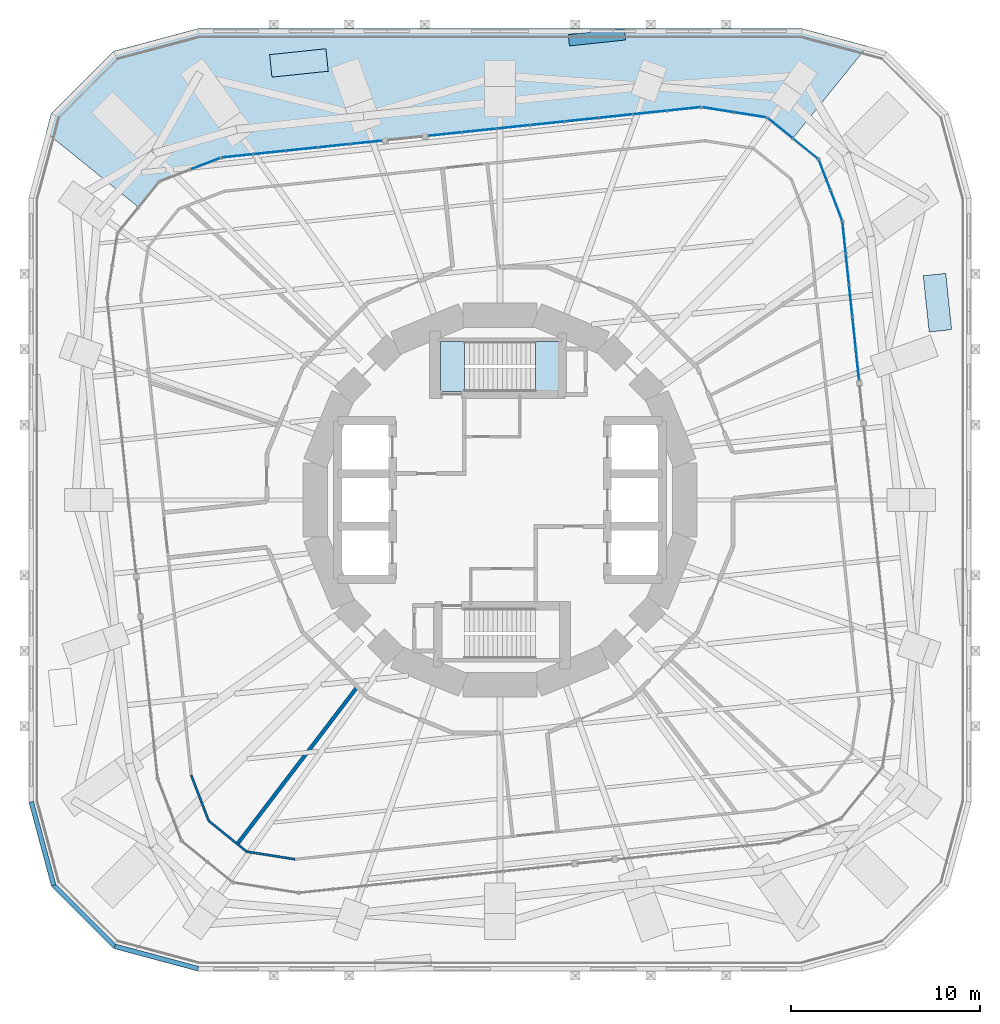
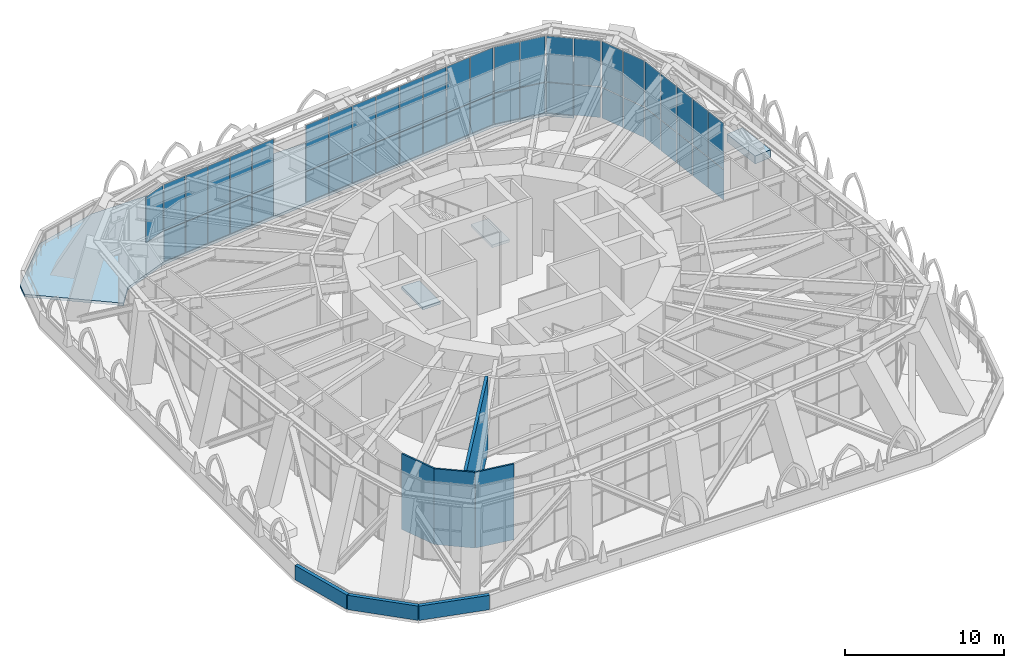
# One storey, part 14 of 20: 52 plates, 7 walls, 3 slabs, 8 elements without a shape of their own.
"""IFC4 building model written with IfcOpenShell, lengths in metres."""

from ifc_helpers import new_model, si_unit, direction, frame, frame_2d, origin, origin_2d, place, context, subcontext, project, spatial, polyline, rectangle, outline, extrude, material, layer, layer_set, type_object, element, aggregate, save


model = new_model("IFC4")

# Units and contexts
model_context = context("Model", 3, precision=1e-05, world=origin(), true_north=direction((0.0, 1.0)))
body_context = subcontext(model_context, "Body", "Model", "MODEL_VIEW")
ifc_project = project(units=[si_unit("LENGTHUNIT", "METRE"), si_unit("AREAUNIT", "SQUARE_METRE"), si_unit("VOLUMEUNIT", "CUBIC_METRE"), si_unit("PLANEANGLEUNIT", "RADIAN"), si_unit("MASSUNIT", "GRAM", prefix="KILO")], contexts=[model_context])

# Site, building, storey
site_placement = place(None, origin())
site = spatial("IfcSite", under=ifc_project, at=site_placement, CompositionType="ELEMENT")
building_placement = place(site_placement, origin())
building = spatial("IfcBuilding", under=site, at=building_placement, Name="Nakasero Lantern House", CompositionType="ELEMENT")
storey_placement = place(building_placement, frame((0.0, 0.0, 54.5)))
storey = spatial("IfcBuildingStorey", under=building, at=storey_placement, Name="L13", CompositionType="ELEMENT", Elevation=54.5)

# Curtain wall, plates
ifc_material_1 = material(Name="Aluminium 6063-T6 and glass", Category="aluminium")
curtain_wall_type = type_object("IfcCurtainWallType", Name="Sky lounge glazing CW-3", PredefinedType="USERDEFINED", material=ifc_material_1)
curtain_wall_1_placement = place(storey_placement, origin())
curtain_wall_1 = element("IfcCurtainWall", 1, at=curtain_wall_1_placement, inside=storey, type_object=curtain_wall_type, Name="Curtain wall CW-3 L13", ObjectType="STICK CURTAIN WALL", PredefinedType="USERDEFINED")
ifc_material_2 = material(Name="Glass", Category="glass")
ifc_layer_1 = layer(ifc_material_2, 0.028076171875)
ifc_layer_set_1 = layer_set([ifc_layer_1], Name="Glazed panel CW-3")
plate_type_1 = type_object("IfcPlateType", Name="Glazed panel CW-3", PredefinedType="CURTAIN_PANEL", material=ifc_layer_set_1)
plate_1_placement = place(storey_placement, frame((18.775634765625, 8.861083984375, 0.06005859375), z_axis=(0.0, 0.0, 1.0), x_axis=(-0.104528463302, 0.994521895365, 0.0)))
plate_1 = element("IfcPlate", 2, at=plate_1_placement, type_object=plate_type_1, Name="CW-3 panel 2.1", PredefinedType="CURTAIN_PANEL", context=body_context, shape_type="SweptSolid", body=[
    extrude(rectangle(XDim=1.639892578125, YDim=0.028076171875, at=origin_2d()), origin(), (0.0, 0.0, 1.0), 2.31005859375),
])
plate_2_placement = place(storey_placement, frame((18.775634765625, 8.861083984375, 2.43017578125), z_axis=(0.0, 0.0, 1.0), x_axis=(-0.104528463302, 0.994521895365, 0.0)))
plate_2 = element("IfcPlate", 3, at=plate_2_placement, type_object=plate_type_1, Name="CW-3 panel 2.2", PredefinedType="CURTAIN_PANEL", context=body_context, shape_type="SweptSolid", body=[
    extrude(rectangle(XDim=1.639892578125, YDim=0.028076171875, at=origin_2d()), origin(), (0.0, 0.0, 1.0), 3.510009765625),
])
plate_3_placement = place(storey_placement, frame((18.597900390625, 10.5517578125, 0.06005859375), z_axis=(0.0, 0.0, 1.0), x_axis=(-0.104528463302, 0.994521895365, 0.0)))
plate_3 = element("IfcPlate", 4, at=plate_3_placement, type_object=plate_type_1, Name="CW-3 panel 3.1", PredefinedType="CURTAIN_PANEL", context=body_context, shape_type="SweptSolid", body=[
    extrude(rectangle(XDim=1.639892578125, YDim=0.028076171875, at=origin_2d()), origin(), (0.0, 0.0, 1.0), 2.31005859375),
])
plate_4_placement = place(storey_placement, frame((18.597900390625, 10.5517578125, 2.43017578125), z_axis=(0.0, 0.0, 1.0), x_axis=(-0.104528463302, 0.994521895365, 0.0)))
plate_4 = element("IfcPlate", 5, at=plate_4_placement, type_object=plate_type_1, Name="CW-3 panel 3.2", PredefinedType="CURTAIN_PANEL", context=body_context, shape_type="SweptSolid", body=[
    extrude(rectangle(XDim=1.639892578125, YDim=0.028076171875, at=origin_2d()), origin(), (0.0, 0.0, 1.0), 3.510009765625),
])
plate_5_placement = place(storey_placement, frame((18.420166015625, 12.242431640625, 0.06005859375), z_axis=(0.0, 0.0, 1.0), x_axis=(-0.104528463302, 0.994521895365, 0.0)))
plate_5 = element("IfcPlate", 6, at=plate_5_placement, type_object=plate_type_1, Name="CW-3 panel 4.1", PredefinedType="CURTAIN_PANEL", context=body_context, shape_type="SweptSolid", body=[
    extrude(rectangle(XDim=1.639892578125, YDim=0.028076171875, at=origin_2d()), origin(), (0.0, 0.0, 1.0), 2.31005859375),
])
plate_6_placement = place(storey_placement, frame((18.420166015625, 12.242431640625, 2.43017578125), z_axis=(0.0, 0.0, 1.0), x_axis=(-0.104528463302, 0.994521895365, 0.0)))
plate_6 = element("IfcPlate", 7, at=plate_6_placement, type_object=plate_type_1, Name="CW-3 panel 4.2", PredefinedType="CURTAIN_PANEL", context=body_context, shape_type="SweptSolid", body=[
    extrude(rectangle(XDim=1.639892578125, YDim=0.028076171875, at=origin_2d()), origin(), (0.0, 0.0, 1.0), 3.510009765625),
])

curtain_wall_2_placement = place(storey_placement, origin())
curtain_wall_2 = element("IfcCurtainWall", 8, at=curtain_wall_2_placement, inside=storey, type_object=curtain_wall_type, Name="Curtain wall CW-3 L13", ObjectType="STICK CURTAIN WALL", PredefinedType="USERDEFINED")
plate_7_placement = place(storey_placement, frame((17.8330078125, 15.614013671875, 0.06005859375), z_axis=(0.0, 0.0, 1.0), x_axis=(-0.358367949301, 0.933580426591, 0.0)))
plate_7 = element("IfcPlate", 9, at=plate_7_placement, type_object=plate_type_1, Name="CW-3 panel 1.1", PredefinedType="CURTAIN_PANEL", context=body_context, shape_type="SweptSolid", body=[
    extrude(rectangle(XDim=1.669677734375, YDim=0.028076171875, at=origin_2d()), origin(), (0.0, 0.0, 1.0), 2.31005859375),
])
plate_8_placement = place(storey_placement, frame((17.8330078125, 15.614013671875, 2.43017578125), z_axis=(0.0, 0.0, 1.0), x_axis=(-0.358367949301, 0.933580426591, 0.0)))
plate_8 = element("IfcPlate", 10, at=plate_8_placement, type_object=plate_type_1, Name="CW-3 panel 1.2", PredefinedType="CURTAIN_PANEL", context=body_context, shape_type="SweptSolid", body=[
    extrude(rectangle(XDim=1.669677734375, YDim=0.028076171875, at=origin_2d()), origin(), (0.0, 0.0, 1.0), 3.510009765625),
])

curtain_wall_3_placement = place(storey_placement, origin())
curtain_wall_3 = element("IfcCurtainWall", 11, at=curtain_wall_3_placement, inside=storey, type_object=curtain_wall_type, Name="Curtain wall CW-3 L13", ObjectType="STICK CURTAIN WALL", PredefinedType="USERDEFINED")
plate_9_placement = place(storey_placement, frame((13.2734375, 20.4189453125, 0.06005859375), z_axis=(0.0, 0.0, 1.0), x_axis=(-0.987688340598, 0.156434465023, 0.0)))
plate_9 = element("IfcPlate", 12, at=plate_9_placement, type_object=plate_type_1, Name="CW-3 panel 1.1", PredefinedType="CURTAIN_PANEL", context=body_context, shape_type="SweptSolid", body=[
    extrude(rectangle(XDim=1.669677734375, YDim=0.028076171875, at=origin_2d()), origin(), (0.0, 0.0, 1.0), 2.31005859375),
])
plate_10_placement = place(storey_placement, frame((13.2734375, 20.4189453125, 2.43017578125), z_axis=(0.0, 0.0, 1.0), x_axis=(-0.987688340598, 0.156434465023, 0.0)))
plate_10 = element("IfcPlate", 13, at=plate_10_placement, type_object=plate_type_1, Name="CW-3 panel 1.2", PredefinedType="CURTAIN_PANEL", context=body_context, shape_type="SweptSolid", body=[
    extrude(rectangle(XDim=1.669677734375, YDim=0.028076171875, at=origin_2d()), origin(), (0.0, 0.0, 1.0), 3.510009765625),
])

curtain_wall_4_placement = place(storey_placement, origin())
curtain_wall_4 = element("IfcCurtainWall", 14, at=curtain_wall_4_placement, inside=storey, type_object=curtain_wall_type, Name="Curtain wall CW-3 L13", ObjectType="STICK CURTAIN WALL", PredefinedType="USERDEFINED")
plate_11_placement = place(storey_placement, frame((4.32861328125, 20.161865234375, 0.06005859375), z_axis=(0.0, 0.0, 1.0), x_axis=(-0.994521895366, -0.104528463285, 0.0)))
plate_11 = element("IfcPlate", 15, at=plate_11_placement, type_object=plate_type_1, Name="CW-3 panel 4.1", PredefinedType="CURTAIN_PANEL", context=body_context, shape_type="SweptSolid", body=[
    extrude(rectangle(XDim=1.764892578125, YDim=0.028076171875, at=origin_2d()), origin(), (0.0, 0.0, 1.0), 2.31005859375),
])
plate_12_placement = place(storey_placement, frame((4.32861328125, 20.161865234375, 2.43017578125), z_axis=(0.0, 0.0, 1.0), x_axis=(-0.994521895366, -0.104528463285, 0.0)))
plate_12 = element("IfcPlate", 16, at=plate_12_placement, type_object=plate_type_1, Name="CW-3 panel 4.2", PredefinedType="CURTAIN_PANEL", context=body_context, shape_type="SweptSolid", body=[
    extrude(rectangle(XDim=1.764892578125, YDim=0.028076171875, at=origin_2d()), origin(), (0.0, 0.0, 1.0), 3.510009765625),
])
plate_13_placement = place(storey_placement, frame((2.513671875, 19.97119140625, 0.06005859375), z_axis=(0.0, 0.0, 1.0), x_axis=(-0.994521895366, -0.104528463285, 0.0)))
plate_13 = element("IfcPlate", 17, at=plate_13_placement, type_object=plate_type_1, Name="CW-3 panel 5.1", PredefinedType="CURTAIN_PANEL", context=body_context, shape_type="SweptSolid", body=[
    extrude(rectangle(XDim=1.764892578125, YDim=0.028076171875, at=origin_2d()), origin(), (0.0, 0.0, 1.0), 2.31005859375),
])
plate_14_placement = place(storey_placement, frame((2.513671875, 19.97119140625, 2.43017578125), z_axis=(0.0, 0.0, 1.0), x_axis=(-0.994521895366, -0.104528463285, 0.0)))
plate_14 = element("IfcPlate", 18, at=plate_14_placement, type_object=plate_type_1, Name="CW-3 panel 5.2", PredefinedType="CURTAIN_PANEL", context=body_context, shape_type="SweptSolid", body=[
    extrude(rectangle(XDim=1.764892578125, YDim=0.028076171875, at=origin_2d()), origin(), (0.0, 0.0, 1.0), 3.510009765625),
])
plate_15_placement = place(storey_placement, frame((-2.916259765625, 19.400390625, 0.06005859375), z_axis=(0.0, 0.0, 1.0), x_axis=(-0.994521895366, -0.104528463285, 0.0)))
plate_15 = element("IfcPlate", 19, at=plate_15_placement, type_object=plate_type_1, Name="CW-3 panel 8.1", PredefinedType="CURTAIN_PANEL", context=body_context, shape_type="SweptSolid", body=[
    extrude(rectangle(XDim=1.735107421875, YDim=0.028076171875, at=origin_2d()), origin(), (0.0, 0.0, 1.0), 2.31005859375),
])
plate_16_placement = place(storey_placement, frame((-2.916259765625, 19.400390625, 2.43017578125), z_axis=(0.0, 0.0, 1.0), x_axis=(-0.994521895366, -0.104528463285, 0.0)))
plate_16 = element("IfcPlate", 20, at=plate_16_placement, type_object=plate_type_1, Name="CW-3 panel 8.2", PredefinedType="CURTAIN_PANEL", context=body_context, shape_type="SweptSolid", body=[
    extrude(rectangle(XDim=1.735107421875, YDim=0.028076171875, at=origin_2d()), origin(), (0.0, 0.0, 1.0), 3.510009765625),
])

curtain_wall_5_placement = place(storey_placement, origin())
curtain_wall_5 = element("IfcCurtainWall", 21, at=curtain_wall_5_placement, inside=storey, type_object=curtain_wall_type, Name="Curtain wall CW-3 L13", ObjectType="STICK CURTAIN WALL", PredefinedType="USERDEFINED")
plate_17_placement = place(storey_placement, frame((-8.79150390625, 18.782958984375, 0.06005859375), z_axis=(0.0, 0.0, 1.0), x_axis=(-0.994521895357, -0.104528463372, 0.0)))
plate_17 = element("IfcPlate", 22, at=plate_17_placement, type_object=plate_type_1, Name="CW-3 panel 2.1", PredefinedType="CURTAIN_PANEL", context=body_context, shape_type="SweptSolid", body=[
    extrude(rectangle(XDim=1.659912109375, YDim=0.028076171875, at=origin_2d()), origin(), (0.0, 0.0, 1.0), 2.31005859375),
])
plate_18_placement = place(storey_placement, frame((-8.79150390625, 18.782958984375, 2.43017578125), z_axis=(0.0, 0.0, 1.0), x_axis=(-0.994521895357, -0.104528463372, 0.0)))
plate_18 = element("IfcPlate", 23, at=plate_18_placement, type_object=plate_type_1, Name="CW-3 panel 2.2", PredefinedType="CURTAIN_PANEL", context=body_context, shape_type="SweptSolid", body=[
    extrude(rectangle(XDim=1.659912109375, YDim=0.028076171875, at=origin_2d()), origin(), (0.0, 0.0, 1.0), 3.510009765625),
])
plate_19_placement = place(storey_placement, frame((-10.502197265625, 18.60302734375, 0.06005859375), z_axis=(0.0, 0.0, 1.0), x_axis=(-0.994521895357, -0.104528463372, 0.0)))
plate_19 = element("IfcPlate", 24, at=plate_19_placement, type_object=plate_type_1, Name="CW-3 panel 3.1", PredefinedType="CURTAIN_PANEL", context=body_context, shape_type="SweptSolid", body=[
    extrude(rectangle(XDim=1.659912109375, YDim=0.028076171875, at=origin_2d()), origin(), (0.0, 0.0, 1.0), 2.31005859375),
])
plate_20_placement = place(storey_placement, frame((-10.502197265625, 18.60302734375, 2.43017578125), z_axis=(0.0, 0.0, 1.0), x_axis=(-0.994521895357, -0.104528463372, 0.0)))
plate_20 = element("IfcPlate", 25, at=plate_20_placement, type_object=plate_type_1, Name="CW-3 panel 3.2", PredefinedType="CURTAIN_PANEL", context=body_context, shape_type="SweptSolid", body=[
    extrude(rectangle(XDim=1.659912109375, YDim=0.028076171875, at=origin_2d()), origin(), (0.0, 0.0, 1.0), 3.510009765625),
])
plate_21_placement = place(storey_placement, frame((-12.212646484375, 18.42333984375, 0.06005859375), z_axis=(0.0, 0.0, 1.0), x_axis=(-0.994521895357, -0.104528463372, 0.0)))
plate_21 = element("IfcPlate", 26, at=plate_21_placement, type_object=plate_type_1, Name="CW-3 panel 4.1", PredefinedType="CURTAIN_PANEL", context=body_context, shape_type="SweptSolid", body=[
    extrude(rectangle(XDim=1.659912109375, YDim=0.028076171875, at=origin_2d()), origin(), (0.0, 0.0, 1.0), 2.31005859375),
])
plate_22_placement = place(storey_placement, frame((-12.212646484375, 18.42333984375, 2.43017578125), z_axis=(0.0, 0.0, 1.0), x_axis=(-0.994521895357, -0.104528463372, 0.0)))
plate_22 = element("IfcPlate", 27, at=plate_22_placement, type_object=plate_type_1, Name="CW-3 panel 4.2", PredefinedType="CURTAIN_PANEL", context=body_context, shape_type="SweptSolid", body=[
    extrude(rectangle(XDim=1.659912109375, YDim=0.028076171875, at=origin_2d()), origin(), (0.0, 0.0, 1.0), 3.510009765625),
])

# Curtain wall, plate
curtain_wall_6_placement = place(storey_placement, origin())
curtain_wall_6 = element("IfcCurtainWall", 28, at=curtain_wall_6_placement, inside=storey, type_object=curtain_wall_type, Name="Curtain wall CW-3 L13", ObjectType="STICK CURTAIN WALL", PredefinedType="USERDEFINED")
plate_23_placement = place(storey_placement, frame((-15.614013671875, 17.8330078125, 2.43017578125), z_axis=(0.0, 0.0, 1.0), x_axis=(-0.933580426591, -0.358367949301, 0.0)))
plate_23 = element("IfcPlate", 29, at=plate_23_placement, type_object=plate_type_1, Name="CW-3 panel 1.2", PredefinedType="CURTAIN_PANEL", context=body_context, shape_type="SweptSolid", body=[
    extrude(rectangle(XDim=1.669677734375, YDim=0.028076171875, at=origin_2d()), origin(), (0.0, 0.0, 1.0), 3.510009765625),
])
aggregate(curtain_wall_6, [plate_23])

# Plate
ifc_material_3 = material(Name="Aluminium 6063-T6 and insulation", Category="aluminium")
ifc_layer_2 = layer(ifc_material_3, 0.028076171875)
ifc_layer_set_2 = layer_set([ifc_layer_2], Name="Insulated panel CW-3")
plate_type_2 = type_object("IfcPlateType", Name="Insulated panel CW-3", PredefinedType="CURTAIN_PANEL", material=ifc_layer_set_2)
plate_24_placement = place(storey_placement, frame((18.95166015625, 7.185302734375, 0.06005859375), z_axis=(0.0, 0.0, 1.0), x_axis=(-0.104528463302, 0.994521895365, 0.0)))
plate_24 = element("IfcPlate", 30, at=plate_24_placement, type_object=plate_type_2, Name="CW-3 panel 1.1", PredefinedType="CURTAIN_PANEL", context=body_context, shape_type="SweptSolid", body=[
    extrude(rectangle(XDim=1.610107421875, YDim=0.028076171875, at=origin_2d()), origin(), (0.0, 0.0, 1.0), 2.31005859375),
])

plate_25_placement = place(storey_placement, frame((18.95166015625, 7.185302734375, 2.43017578125), z_axis=(0.0, 0.0, 1.0), x_axis=(-0.104528463302, 0.994521895365, 0.0)))
plate_25 = element("IfcPlate", 31, at=plate_25_placement, type_object=plate_type_2, Name="CW-3 panel 1.2", PredefinedType="CURTAIN_PANEL", context=body_context, shape_type="SweptSolid", body=[
    extrude(rectangle(XDim=1.610107421875, YDim=0.028076171875, at=origin_2d()), origin(), (0.0, 0.0, 1.0), 3.510009765625),
])

plate_26_placement = place(storey_placement, frame((18.244140625, 13.918212890625, 0.06005859375), z_axis=(0.0, 0.0, 1.0), x_axis=(-0.104528463302, 0.994521895365, 0.0)))
plate_26 = element("IfcPlate", 32, at=plate_26_placement, type_object=plate_type_2, Name="CW-3 panel 5.1", PredefinedType="CURTAIN_PANEL", context=body_context, shape_type="SweptSolid", body=[
    extrude(rectangle(XDim=1.610107421875, YDim=0.028076171875, at=origin_2d()), origin(), (0.0, 0.0, 1.0), 2.31005859375),
])

plate_27_placement = place(storey_placement, frame((18.244140625, 13.918212890625, 2.43017578125), z_axis=(0.0, 0.0, 1.0), x_axis=(-0.104528463302, 0.994521895365, 0.0)))
plate_27 = element("IfcPlate", 33, at=plate_27_placement, type_object=plate_type_2, Name="CW-3 panel 5.2", PredefinedType="CURTAIN_PANEL", context=body_context, shape_type="SweptSolid", body=[
    extrude(rectangle(XDim=1.610107421875, YDim=0.028076171875, at=origin_2d()), origin(), (0.0, 0.0, 1.0), 3.510009765625),
])

aggregate(curtain_wall_1, [plate_24, plate_25, plate_1, plate_2, plate_3, plate_4, plate_5, plate_6, plate_26, plate_27])

plate_28_placement = place(storey_placement, frame((17.213134765625, 17.228759765625, 0.06005859375), z_axis=(0.0, 0.0, 1.0), x_axis=(-0.358367949301, 0.933580426591, 0.0)))
plate_28 = element("IfcPlate", 34, at=plate_28_placement, type_object=plate_type_2, Name="CW-3 panel 2.1", PredefinedType="CURTAIN_PANEL", context=body_context, shape_type="SweptSolid", body=[
    extrude(rectangle(XDim=1.669677734375, YDim=0.028076171875, at=origin_2d()), origin(), (0.0, 0.0, 1.0), 2.31005859375),
])

plate_29_placement = place(storey_placement, frame((17.213134765625, 17.228759765625, 2.43017578125), z_axis=(0.0, 0.0, 1.0), x_axis=(-0.358367949301, 0.933580426591, 0.0)))
plate_29 = element("IfcPlate", 35, at=plate_29_placement, type_object=plate_type_2, Name="CW-3 panel 2.2", PredefinedType="CURTAIN_PANEL", context=body_context, shape_type="SweptSolid", body=[
    extrude(rectangle(XDim=1.669677734375, YDim=0.028076171875, at=origin_2d()), origin(), (0.0, 0.0, 1.0), 3.510009765625),
])

aggregate(curtain_wall_2, [plate_7, plate_8, plate_28, plate_29])

# Curtain wall, plates
curtain_wall_7_placement = place(storey_placement, origin())
curtain_wall_7 = element("IfcCurtainWall", 36, at=curtain_wall_7_placement, inside=storey, type_object=curtain_wall_type, Name="Curtain wall CW-3 L13", ObjectType="STICK CURTAIN WALL", PredefinedType="USERDEFINED")
plate_30_placement = place(storey_placement, frame((16.197021484375, 18.62744140625, 0.06005859375), z_axis=(0.0, 0.0, 1.0), x_axis=(-0.777145961545, 0.629320390941, 0.0)))
plate_30 = element("IfcPlate", 37, at=plate_30_placement, type_object=plate_type_2, Name="CW-3 panel 1.1", PredefinedType="CURTAIN_PANEL", context=body_context, shape_type="SweptSolid", body=[
    extrude(rectangle(XDim=1.669677734375, YDim=0.028076171875, at=origin_2d()), origin(), (0.0, 0.0, 1.0), 2.31005859375),
])
plate_31_placement = place(storey_placement, frame((16.197021484375, 18.62744140625, 2.43017578125), z_axis=(0.0, 0.0, 1.0), x_axis=(-0.777145961545, 0.629320390941, 0.0)))
plate_31 = element("IfcPlate", 38, at=plate_31_placement, type_object=plate_type_2, Name="CW-3 panel 1.2", PredefinedType="CURTAIN_PANEL", context=body_context, shape_type="SweptSolid", body=[
    extrude(rectangle(XDim=1.669677734375, YDim=0.028076171875, at=origin_2d()), origin(), (0.0, 0.0, 1.0), 3.510009765625),
])
plate_32_placement = place(storey_placement, frame((14.852783203125, 19.7158203125, 0.06005859375), z_axis=(0.0, 0.0, 1.0), x_axis=(-0.777145961545, 0.629320390941, 0.0)))
plate_32 = element("IfcPlate", 39, at=plate_32_placement, type_object=plate_type_2, Name="CW-3 panel 2.1", PredefinedType="CURTAIN_PANEL", context=body_context, shape_type="SweptSolid", body=[
    extrude(rectangle(XDim=1.669677734375, YDim=0.028076171875, at=origin_2d()), origin(), (0.0, 0.0, 1.0), 2.31005859375),
])
plate_33_placement = place(storey_placement, frame((14.852783203125, 19.7158203125, 2.43017578125), z_axis=(0.0, 0.0, 1.0), x_axis=(-0.777145961545, 0.629320390941, 0.0)))
plate_33 = element("IfcPlate", 40, at=plate_33_placement, type_object=plate_type_2, Name="CW-3 panel 2.2", PredefinedType="CURTAIN_PANEL", context=body_context, shape_type="SweptSolid", body=[
    extrude(rectangle(XDim=1.669677734375, YDim=0.028076171875, at=origin_2d()), origin(), (0.0, 0.0, 1.0), 3.510009765625),
])
aggregate(curtain_wall_7, [plate_30, plate_31, plate_32, plate_33])

# Plate
plate_34_placement = place(storey_placement, frame((11.565185546875, 20.689697265625, 0.06005859375), z_axis=(0.0, 0.0, 1.0), x_axis=(-0.987688340598, 0.156434465023, 0.0)))
plate_34 = element("IfcPlate", 41, at=plate_34_placement, type_object=plate_type_2, Name="CW-3 panel 2.1", PredefinedType="CURTAIN_PANEL", context=body_context, shape_type="SweptSolid", body=[
    extrude(rectangle(XDim=1.669677734375, YDim=0.028076171875, at=origin_2d()), origin(), (0.0, 0.0, 1.0), 2.31005859375),
])

plate_35_placement = place(storey_placement, frame((11.565185546875, 20.689697265625, 2.43017578125), z_axis=(0.0, 0.0, 1.0), x_axis=(-0.987688340598, 0.156434465023, 0.0)))
plate_35 = element("IfcPlate", 42, at=plate_35_placement, type_object=plate_type_2, Name="CW-3 panel 2.2", PredefinedType="CURTAIN_PANEL", context=body_context, shape_type="SweptSolid", body=[
    extrude(rectangle(XDim=1.669677734375, YDim=0.028076171875, at=origin_2d()), origin(), (0.0, 0.0, 1.0), 3.510009765625),
])

aggregate(curtain_wall_3, [plate_9, plate_10, plate_34, plate_35])

plate_36_placement = place(storey_placement, frame((9.7587890625, 20.732666015625, 0.06005859375), z_axis=(0.0, 0.0, 1.0), x_axis=(-0.994521895366, -0.104528463285, 0.0)))
plate_36 = element("IfcPlate", 43, at=plate_36_placement, type_object=plate_type_2, Name="CW-3 panel 1.1", PredefinedType="CURTAIN_PANEL", context=body_context, shape_type="SweptSolid", body=[
    extrude(rectangle(XDim=1.735107421875, YDim=0.028076171875, at=origin_2d()), origin(), (0.0, 0.0, 1.0), 2.31005859375),
])

plate_37_placement = place(storey_placement, frame((9.7587890625, 20.732666015625, 2.43017578125), z_axis=(0.0, 0.0, 1.0), x_axis=(-0.994521895366, -0.104528463285, 0.0)))
plate_37 = element("IfcPlate", 44, at=plate_37_placement, type_object=plate_type_2, Name="CW-3 panel 1.2", PredefinedType="CURTAIN_PANEL", context=body_context, shape_type="SweptSolid", body=[
    extrude(rectangle(XDim=1.735107421875, YDim=0.028076171875, at=origin_2d()), origin(), (0.0, 0.0, 1.0), 3.510009765625),
])

plate_38_placement = place(storey_placement, frame((7.958740234375, 20.54345703125, 0.06005859375), z_axis=(0.0, 0.0, 1.0), x_axis=(-0.994521895366, -0.104528463285, 0.0)))
plate_38 = element("IfcPlate", 45, at=plate_38_placement, type_object=plate_type_2, Name="CW-3 panel 2.1", PredefinedType="CURTAIN_PANEL", context=body_context, shape_type="SweptSolid", body=[
    extrude(rectangle(XDim=1.764892578125, YDim=0.028076171875, at=origin_2d()), origin(), (0.0, 0.0, 1.0), 2.31005859375),
])

plate_39_placement = place(storey_placement, frame((7.958740234375, 20.54345703125, 2.43017578125), z_axis=(0.0, 0.0, 1.0), x_axis=(-0.994521895366, -0.104528463285, 0.0)))
plate_39 = element("IfcPlate", 46, at=plate_39_placement, type_object=plate_type_2, Name="CW-3 panel 2.2", PredefinedType="CURTAIN_PANEL", context=body_context, shape_type="SweptSolid", body=[
    extrude(rectangle(XDim=1.764892578125, YDim=0.028076171875, at=origin_2d()), origin(), (0.0, 0.0, 1.0), 3.510009765625),
])

plate_40_placement = place(storey_placement, frame((6.143798828125, 20.352783203125, 0.06005859375), z_axis=(0.0, 0.0, 1.0), x_axis=(-0.994521895366, -0.104528463285, 0.0)))
plate_40 = element("IfcPlate", 47, at=plate_40_placement, type_object=plate_type_2, Name="CW-3 panel 3.1", PredefinedType="CURTAIN_PANEL", context=body_context, shape_type="SweptSolid", body=[
    extrude(rectangle(XDim=1.764892578125, YDim=0.028076171875, at=origin_2d()), origin(), (0.0, 0.0, 1.0), 2.31005859375),
])

plate_41_placement = place(storey_placement, frame((6.143798828125, 20.352783203125, 2.43017578125), z_axis=(0.0, 0.0, 1.0), x_axis=(-0.994521895366, -0.104528463285, 0.0)))
plate_41 = element("IfcPlate", 48, at=plate_41_placement, type_object=plate_type_2, Name="CW-3 panel 3.2", PredefinedType="CURTAIN_PANEL", context=body_context, shape_type="SweptSolid", body=[
    extrude(rectangle(XDim=1.764892578125, YDim=0.028076171875, at=origin_2d()), origin(), (0.0, 0.0, 1.0), 3.510009765625),
])

plate_42_placement = place(storey_placement, frame((0.69873046875, 19.7802734375, 0.06005859375), z_axis=(0.0, 0.0, 1.0), x_axis=(-0.994521895366, -0.104528463285, 0.0)))
plate_42 = element("IfcPlate", 49, at=plate_42_placement, type_object=plate_type_2, Name="CW-3 panel 6.1", PredefinedType="CURTAIN_PANEL", context=body_context, shape_type="SweptSolid", body=[
    extrude(rectangle(XDim=1.764892578125, YDim=0.028076171875, at=origin_2d()), origin(), (0.0, 0.0, 1.0), 2.31005859375),
])

plate_43_placement = place(storey_placement, frame((0.69873046875, 19.7802734375, 2.43017578125), z_axis=(0.0, 0.0, 1.0), x_axis=(-0.994521895366, -0.104528463285, 0.0)))
plate_43 = element("IfcPlate", 50, at=plate_43_placement, type_object=plate_type_2, Name="CW-3 panel 6.2", PredefinedType="CURTAIN_PANEL", context=body_context, shape_type="SweptSolid", body=[
    extrude(rectangle(XDim=1.764892578125, YDim=0.028076171875, at=origin_2d()), origin(), (0.0, 0.0, 1.0), 3.510009765625),
])

plate_44_placement = place(storey_placement, frame((-1.1162109375, 19.589599609375, 0.06005859375), z_axis=(0.0, 0.0, 1.0), x_axis=(-0.994521895366, -0.104528463285, 0.0)))
plate_44 = element("IfcPlate", 51, at=plate_44_placement, type_object=plate_type_2, Name="CW-3 panel 7.1", PredefinedType="CURTAIN_PANEL", context=body_context, shape_type="SweptSolid", body=[
    extrude(rectangle(XDim=1.764892578125, YDim=0.028076171875, at=origin_2d()), origin(), (0.0, 0.0, 1.0), 2.31005859375),
])

plate_45_placement = place(storey_placement, frame((-1.1162109375, 19.589599609375, 2.43017578125), z_axis=(0.0, 0.0, 1.0), x_axis=(-0.994521895366, -0.104528463285, 0.0)))
plate_45 = element("IfcPlate", 52, at=plate_45_placement, type_object=plate_type_2, Name="CW-3 panel 7.2", PredefinedType="CURTAIN_PANEL", context=body_context, shape_type="SweptSolid", body=[
    extrude(rectangle(XDim=1.764892578125, YDim=0.028076171875, at=origin_2d()), origin(), (0.0, 0.0, 1.0), 3.510009765625),
])

aggregate(curtain_wall_4, [plate_36, plate_37, plate_38, plate_39, plate_40, plate_41, plate_11, plate_12, plate_13, plate_14, plate_42, plate_43, plate_44, plate_45, plate_15, plate_16])

plate_46_placement = place(storey_placement, frame((-7.095947265625, 18.961181640625, 0.06005859375), z_axis=(0.0, 0.0, 1.0), x_axis=(-0.994521895357, -0.104528463372, 0.0)))
plate_46 = element("IfcPlate", 53, at=plate_46_placement, type_object=plate_type_2, Name="CW-3 panel 1.1", PredefinedType="CURTAIN_PANEL", context=body_context, shape_type="SweptSolid", body=[
    extrude(rectangle(XDim=1.6298828125, YDim=0.028076171875, at=origin_2d()), origin(), (0.0, 0.0, 1.0), 2.31005859375),
])

plate_47_placement = place(storey_placement, frame((-7.095947265625, 18.961181640625, 2.43017578125), z_axis=(0.0, 0.0, 1.0), x_axis=(-0.994521895357, -0.104528463372, 0.0)))
plate_47 = element("IfcPlate", 54, at=plate_47_placement, type_object=plate_type_2, Name="CW-3 panel 1.2", PredefinedType="CURTAIN_PANEL", context=body_context, shape_type="SweptSolid", body=[
    extrude(rectangle(XDim=1.6298828125, YDim=0.028076171875, at=origin_2d()), origin(), (0.0, 0.0, 1.0), 3.510009765625),
])

plate_48_placement = place(storey_placement, frame((-13.908447265625, 18.2451171875, 0.06005859375), z_axis=(0.0, 0.0, 1.0), x_axis=(-0.994521895357, -0.104528463372, 0.0)))
plate_48 = element("IfcPlate", 55, at=plate_48_placement, type_object=plate_type_2, Name="CW-3 panel 5.1", PredefinedType="CURTAIN_PANEL", context=body_context, shape_type="SweptSolid", body=[
    extrude(rectangle(XDim=1.6298828125, YDim=0.028076171875, at=origin_2d()), origin(), (0.0, 0.0, 1.0), 2.31005859375),
])

plate_49_placement = place(storey_placement, frame((-13.908447265625, 18.2451171875, 2.43017578125), z_axis=(0.0, 0.0, 1.0), x_axis=(-0.994521895357, -0.104528463372, 0.0)))
plate_49 = element("IfcPlate", 56, at=plate_49_placement, type_object=plate_type_2, Name="CW-3 panel 5.2", PredefinedType="CURTAIN_PANEL", context=body_context, shape_type="SweptSolid", body=[
    extrude(rectangle(XDim=1.6298828125, YDim=0.028076171875, at=origin_2d()), origin(), (0.0, 0.0, 1.0), 3.510009765625),
])

aggregate(curtain_wall_5, [plate_46, plate_47, plate_17, plate_18, plate_19, plate_20, plate_21, plate_22, plate_48, plate_49])

# Plates
ifc_material_4 = material(Name="Aluminium 6063-T6", Category="aluminium")
ifc_layer_3 = layer(ifc_material_4, 0.60009765625)
ifc_layer_set_3 = layer_set([ifc_layer_3], Name="Sky garden planter 1200x3000")
plate_type_3 = type_object("IfcPlateType", Name="Sky garden planter 1200x3000", PredefinedType="USERDEFINED", material=ifc_layer_set_3)
plate_50_placement = place(storey_placement, frame((23.193603515625, 10.461669921875, 0.0), z_axis=(0.0, 0.0, 1.0), x_axis=(0.994521895368, 0.104528463268, 0.0)))
element("IfcPlate", 57, at=plate_50_placement, inside=storey, type_object=plate_type_3, Name="Sky garden PLANTER L13 01", ObjectType="PLANTER", PredefinedType="USERDEFINED", context=body_context, shape_type="SweptSolid", body=[
    extrude(rectangle(XDim=1.199951171875, YDim=3.0, at=origin_2d()), origin(), (0.0, 0.0, 1.0), 0.60009765625),
])
plate_51_placement = place(storey_placement, frame((5.143798828125, 24.531982421875, 0.0), z_axis=(0.0, 0.0, 1.0), x_axis=(-0.104528463268, 0.994521895368, 0.0)))
element("IfcPlate", 58, at=plate_51_placement, inside=storey, type_object=plate_type_3, Name="Sky garden PLANTER L13 10", ObjectType="PLANTER", PredefinedType="USERDEFINED", context=body_context, shape_type="SweptSolid", body=[
    extrude(rectangle(XDim=0.60009765625, YDim=3.0, at=origin_2d()), origin(), (0.0, 0.0, 1.0), 0.60009765625),
])
plate_52_placement = place(storey_placement, frame((-10.66064453125, 23.172607421875, 0.0), z_axis=(0.0, 0.0, 1.0), x_axis=(-0.104528463268, 0.994521895368, 0.0)))
element("IfcPlate", 59, at=plate_52_placement, inside=storey, type_object=plate_type_3, Name="Sky garden PLANTER L13 11", ObjectType="PLANTER", PredefinedType="USERDEFINED", context=body_context, shape_type="SweptSolid", body=[
    extrude(rectangle(XDim=1.199951171875, YDim=3.0, at=origin_2d()), origin(), (0.0, 0.0, 1.0), 0.60009765625),
])

# Slab
ifc_material_5 = material(Name="Concrete C35/45", Category="concrete")
ifc_layer_4 = layer(ifc_material_5, 0.199951171875)
ifc_layer_set_4 = layer_set([ifc_layer_4], Name="Sky garden terrace slab 200")
slab_type_1 = type_object("IfcSlabType", Name="Sky garden terrace slab 200", PredefinedType="USERDEFINED", material=ifc_layer_set_4)
slab_1_placement = place(storey_placement, frame((0.0, 0.0, -0.199951171875)))
element("IfcSlab", 60, at=slab_1_placement, inside=storey, type_object=slab_type_1, Name="Sky garden terrace L13 N", ObjectType="TERRACE", PredefinedType="USERDEFINED", context=body_context, shape_type="SweptSolid", body=[
    extrude(outline(polyline([(-23.794189453125, 20.5), (-24.0654296875, 19.48779296875), (-19.171630859375, 15.52490234375), (-18.064208984375, 16.892333984375), (-14.778564453125, 18.153564453125), (10.68115234375, 20.82958984375), (14.1572265625, 20.279052734375), (15.52490234375, 19.171630859375), (19.48779296875, 24.0654296875), (16.0, 25.0), (-16.0, 25.0), (-20.5, 23.794189453125), (-23.794189453125, 20.5)])), origin(), (0.0, 0.0, 1.0), 0.199951171875),
])

# Stair, slabs
ifc_material_6 = material(Name="Concrete C40/50", Category="concrete")
stair_type = type_object("IfcStairType", Name="Escape stair ST1 32 risers", PredefinedType="HALF_TURN_STAIR", material=ifc_material_6)
stair_placement = place(storey_placement, origin())
stair = element("IfcStair", 61, at=stair_placement, inside=storey, type_object=stair_type, Name="Escape stair ST1 L13", PredefinedType="HALF_TURN_STAIR")
ifc_material_7 = material(Name="Concrete C40/50", Category="concrete")
ifc_layer_5 = layer(ifc_material_7, 0.199951171875)
ifc_layer_set_5 = layer_set([ifc_layer_5], Name="Stair landing 200")
slab_type_2 = type_object("IfcSlabType", Name="Stair landing 200", PredefinedType="LANDING", material=ifc_layer_set_5)
slab_2_placement = place(storey_placement, frame((0.0, 0.0, -0.199951171875)))
slab_2 = element("IfcSlab", 62, at=slab_2_placement, type_object=slab_type_2, Name="ST1 landing 1", PredefinedType="LANDING", context=body_context, shape_type="SweptSolid", body=[
    extrude(outline(polyline([(-3.14990234375, 5.75), (-1.875, 5.75), (-1.875, 8.39990234375), (-3.14990234375, 8.39990234375), (-3.14990234375, 5.75)])), origin(), (0.0, 0.0, 1.0), 0.199951171875),
])
slab_3_placement = place(storey_placement, frame((0.0, 0.0, 2.800048828125)))
slab_3 = element("IfcSlab", 63, at=slab_3_placement, type_object=slab_type_2, Name="ST1 landing 2", PredefinedType="LANDING", context=body_context, shape_type="SweptSolid", body=[
    extrude(outline(polyline([(1.875, 5.75), (3.14990234375, 5.75), (3.14990234375, 8.39990234375), (1.875, 8.39990234375), (1.875, 5.75)])), origin(), (0.0, 0.0, 1.0), 0.199951171875),
])
aggregate(stair, [slab_2, slab_3])

# Walls
ifc_material_8 = material(Name="Blockwork", Category="masonry")
ifc_layer_6 = layer(ifc_material_8, 0.199951171875)
ifc_layer_set_6 = layer_set([ifc_layer_6], Name="Fire lobby wall 200")
wall_type_1 = type_object("IfcWallType", Name="Fire lobby wall 200", PredefinedType="PARTITIONING", material=ifc_layer_set_6)
wall_placement = place(storey_placement, frame((-7.566650390625, -9.909912109375, 0.0), z_axis=(0.0, 0.0, 1.0), x_axis=(-0.606880162302, -0.794793349623, 0.0)))
element("IfcWall", 64, at=wall_placement, inside=storey, type_object=wall_type_1, Name="Fire lobby wall L13 TD20", PredefinedType="PARTITIONING", context=body_context, shape_type="SweptSolid", body=[
    extrude(rectangle(XDim=10.480712890625, YDim=0.199951171875, at=frame_2d((5.240234375, 0.0))), origin(), (0.0, 0.0, 1.0), 5.800048828125),
])
ifc_material_9 = material(Name="Aluminium 6063-T6 and glass", Category="aluminium")
ifc_layer_7 = layer(ifc_material_9, 0.1201171875)
ifc_layer_set_7 = layer_set([ifc_layer_7], Name="Glazed screen 120")
wall_type_2 = type_object("IfcWallType", Name="Glazed screen 120", PredefinedType="PARTITIONING", material=ifc_layer_set_7)
for number, where, z_axis, x_axis, name in (
    (65, (-16.373291015625, -14.59130859375, 0.0), (0.0, 0.0, 1.0), (0.358366972356, -0.933580801605, 0.0), "Glazed screen L13 WG2C1"),
    (66, (-15.444091796875, -17.011962890625, 0.0), (0.0, 0.0, 1.0), (0.777152760202, -0.629311995206, 0.0), "Glazed screen L13 WG2C2"),
    (67, (-13.42919921875, -18.6435546875, 0.0), (0.0, 0.0, 1.0), (0.98769262344, -0.156407421826, 0.0), "Glazed screen L13 WG2C3"),
):
    element("IfcWall", number, at=place(storey_placement, frame(where, z_axis=z_axis, x_axis=x_axis)), inside=storey, type_object=wall_type_2, Name=name, PredefinedType="PARTITIONING", context=body_context, shape_type="SweptSolid", body=[
        extrude(rectangle(XDim=2.5927734375, YDim=0.1201171875, at=frame_2d((1.29638671875, 0.0))), origin(), (0.0, 0.0, 1.0), 5.800048828125),
    ])
ifc_material_10 = material(Name="Concrete C35/45", Category="concrete")
ifc_layer_8 = layer(ifc_material_10, 0.25)
ifc_layer_set_8 = layer_set([ifc_layer_8], Name="Parapet 250")
wall_type_3 = type_object("IfcWallType", Name="Parapet 250", PredefinedType="SOLIDWALL", material=ifc_layer_set_8)
for number, where, z_axis, x_axis, name in (
    (68, (-24.85009765625, -16.0, 0.0), (0.0, 0.0, 1.0), (0.258839972501, -0.965920218567, 0.0), "Parapet L13 PP2C1"),
    (69, (-23.664306640625, -20.425048828125, 0.0), (0.0, 0.0, 1.0), (0.707106781187, -0.707106781187, 0.0), "Parapet L13 PP2C2"),
    (70, (-20.425048828125, -23.664306640625, 0.0), (0.0, 0.0, 1.0), (0.965920218567, -0.258839972501, 0.0), "Parapet L13 PP2C3"),
):
    element("IfcWall", number, at=place(storey_placement, frame(where, z_axis=z_axis, x_axis=x_axis)), inside=storey, type_object=wall_type_3, Name=name, PredefinedType="SOLIDWALL", context=body_context, shape_type="SweptSolid", body=[
        extrude(rectangle(XDim=4.5810546875, YDim=0.25, at=frame_2d((2.29052734375, 0.0))), origin(), (0.0, 0.0, 1.0), 1.10009765625),
    ])

save(model, "model.ifc")
